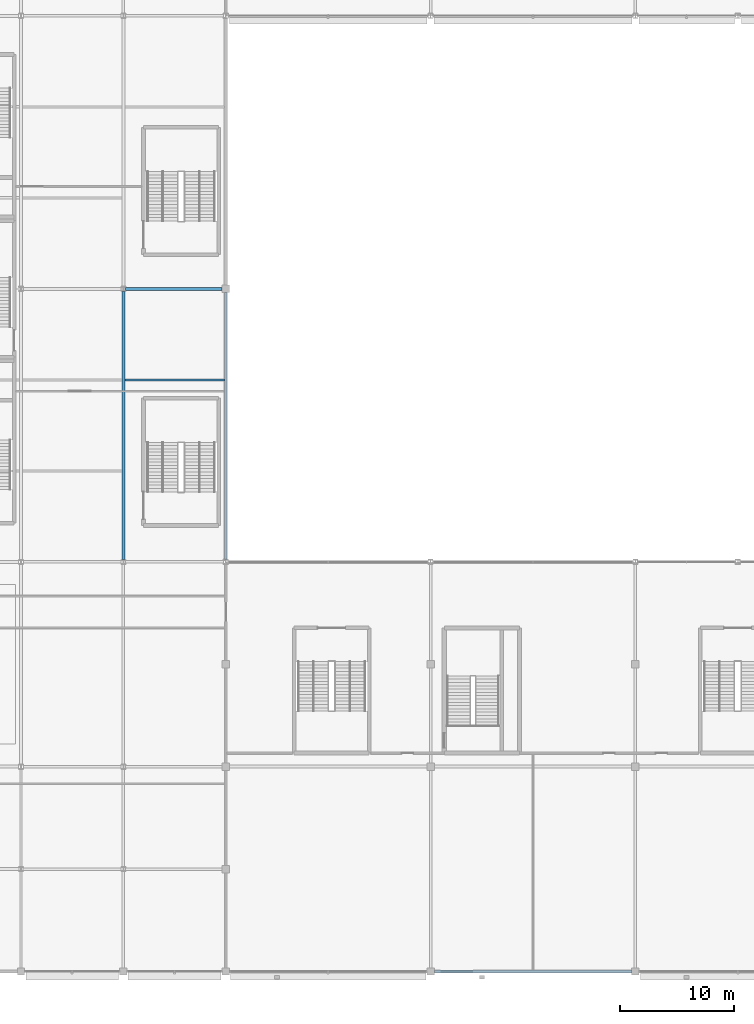
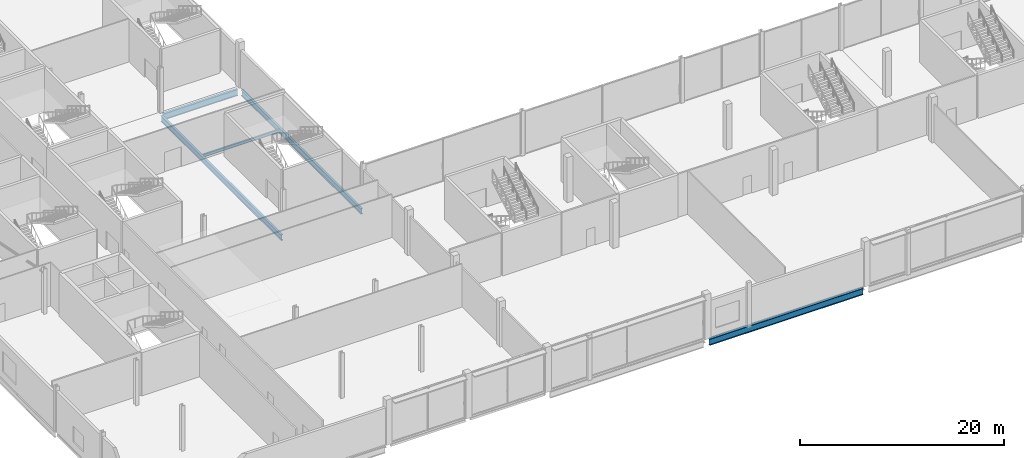
# One storey, part 18 of 111: 5 beams.
"""IFC4 building model written with IfcOpenShell, lengths in metres."""

from ifc_helpers import new_model, si_unit, direction, frame, origin, origin_2d, place, context, subcontext, project, spatial, i_section, extrude, material, material_profile, profile_set, type_object, element, save


model = new_model("IFC4")

# Units and contexts
model_context = context("Model", 3, precision=1e-05, world=origin(), true_north=direction((0.0, 1.0)))
body_context = subcontext(model_context, "Body", "Model", "MODEL_VIEW")
ifc_project = project(units=[si_unit("LENGTHUNIT", "METRE"), si_unit("AREAUNIT", "SQUARE_METRE"), si_unit("VOLUMEUNIT", "CUBIC_METRE"), si_unit("PLANEANGLEUNIT", "RADIAN"), si_unit("MASSUNIT", "GRAM", prefix="KILO")], contexts=[model_context])

# Site, building, storey
site_placement = place(None, origin())
site = spatial("IfcSite", under=ifc_project, at=site_placement, CompositionType="ELEMENT")
building_placement = place(site_placement, origin())
building = spatial("IfcBuilding", under=site, at=building_placement, Name="Kisiwana Market Hall", CompositionType="ELEMENT")
storey_placement = place(building_placement, frame((0.0, 0.0, 11.39990234375)))
storey = spatial("IfcBuildingStorey", under=building, at=storey_placement, Name="L02", CompositionType="ELEMENT", Elevation=11.39990234375)

# Beams
ifc_material_1 = material(Name="Steel S355", Category="steel")
ifc_material_profile_1 = material_profile(ifc_material_1, i_section(OverallWidth=0.253662109375, OverallDepth=0.68359375, WebThickness=0.012451171875, FlangeThickness=0.01904296875, at=origin_2d()), Name="UB 686x254x140")
ifc_profile_set_1 = profile_set([ifc_material_profile_1], Name="Steel S355")
beam_type_1 = type_object("IfcBeamType", Name="BM-GIRD-UB686", PredefinedType="BEAM", material=ifc_profile_set_1)
beam_1_placement = place(storey_placement, frame((45.0, 36.21337890625, -0.591552734375), z_axis=(0.0, 1.0, 0.0), x_axis=(-1.0, 0.0, 0.0)))
element("IfcBeam", 1, at=beam_1_placement, inside=storey, type_object=beam_type_1, Name="Floor beam B-0835", PredefinedType="BEAM", context=body_context, shape_type="SweptSolid", body=[
    extrude(i_section(OverallWidth=0.253662109375, OverallDepth=0.68359375, WebThickness=0.012451171875, FlangeThickness=0.01904296875, at=origin_2d()), origin(), (0.0, 0.0, 1.0), 23.465576171875),
])
beam_2_placement = place(storey_placement, frame((36.0, 36.21337890625, -0.591552734375), z_axis=(0.0, 1.0, 0.0), x_axis=(-1.0, 0.0, 0.0)))
element("IfcBeam", 2, at=beam_2_placement, inside=storey, type_object=beam_type_1, Name="Primary girder B-0618", PredefinedType="BEAM", context=body_context, shape_type="SweptSolid", body=[
    extrude(i_section(OverallWidth=0.253662109375, OverallDepth=0.68359375, WebThickness=0.012451171875, FlangeThickness=0.01904296875, at=origin_2d()), origin(), (0.0, 0.0, 1.0), 23.5732421875),
])
ifc_material_2 = material(Name="Steel S355", Category="steel")
ifc_material_profile_2 = material_profile(ifc_material_2, i_section(OverallWidth=0.2666015625, OverallDepth=0.76220703125, WebThickness=0.014404296875, FlangeThickness=0.021484375, at=origin_2d()), Name="UB 762x267x173")
ifc_profile_set_2 = profile_set([ifc_material_profile_2], Name="Steel S355")
beam_type_2 = type_object("IfcBeamType", Name="BM-GIRD-UB762", PredefinedType="BEAM", material=ifc_profile_set_2)
beam_3_placement = place(storey_placement, frame((63.321044921875, 0.0, -0.631103515625), z_axis=(1.0, 0.0, 0.0), x_axis=(0.0, 1.0, 0.0)))
element("IfcBeam", 3, at=beam_3_placement, inside=storey, type_object=beam_type_2, Name="Floor beam B-0724", PredefinedType="BEAM", context=body_context, shape_type="SweptSolid", body=[
    extrude(i_section(OverallWidth=0.2666015625, OverallDepth=0.76220703125, WebThickness=0.014404296875, FlangeThickness=0.021484375, at=origin_2d()), origin(), (0.0, 0.0, 1.0), 17.35791015625),
])
beam_4_placement = place(storey_placement, frame((36.201904296875, 60.0, -0.631103515625), z_axis=(1.0, 0.0, 0.0), x_axis=(0.0, 1.0, 0.0)))
element("IfcBeam", 4, at=beam_4_placement, inside=storey, type_object=beam_type_2, Name="Floor beam B-0597", PredefinedType="BEAM", context=body_context, shape_type="SweptSolid", body=[
    extrude(i_section(OverallWidth=0.2666015625, OverallDepth=0.76220703125, WebThickness=0.014404296875, FlangeThickness=0.021484375, at=origin_2d()), origin(), (0.0, 0.0, 1.0), 8.47705078125),
])
ifc_material_3 = material(Name="Steel S355", Category="steel")
ifc_material_profile_3 = material_profile(ifc_material_3, i_section(OverallWidth=0.17138671875, OverallDepth=0.35498046875, WebThickness=0.00732421875, FlangeThickness=0.011474609375, at=origin_2d()), Name="UB 356x171x51")
ifc_profile_set_3 = profile_set([ifc_material_profile_3], Name="Steel S355")
beam_type_3 = type_object("IfcBeamType", Name="BM-JOIST-UB356", PredefinedType="JOIST", material=ifc_profile_set_3)
beam_5_placement = place(storey_placement, frame((36.125732421875, 52.0, -0.427490234375), z_axis=(1.0, 0.0, 0.0), x_axis=(0.0, 1.0, 0.0)))
element("IfcBeam", 5, at=beam_5_placement, inside=storey, type_object=beam_type_3, Name="Secondary floor joist B-0700", PredefinedType="JOIST", context=body_context, shape_type="SweptSolid", body=[
    extrude(i_section(OverallWidth=0.17138671875, OverallDepth=0.35498046875, WebThickness=0.00732421875, FlangeThickness=0.011474609375, at=origin_2d()), origin(), (0.0, 0.0, 1.0), 8.74853515625),
])

save(model, "model.ifc")
